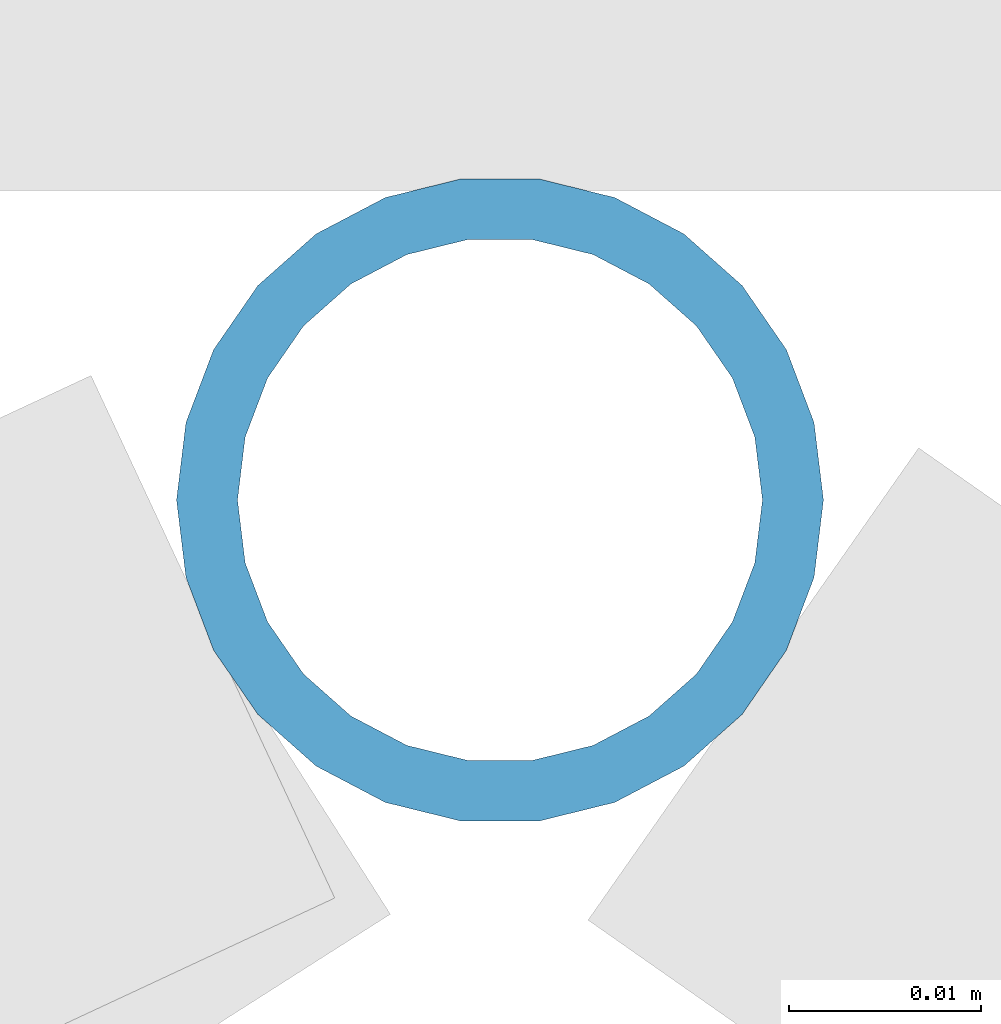
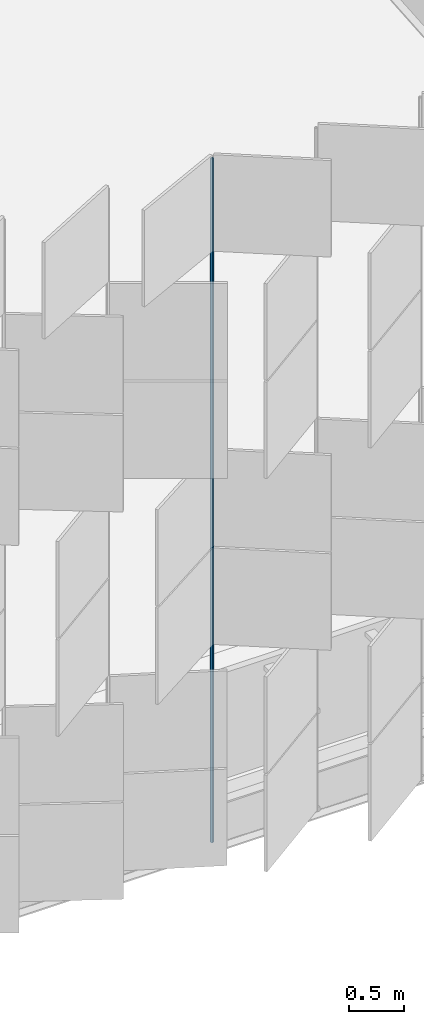
# One storey, part 232 of 483: 1 discrete accessory.
"""IFC4 building model written with IfcOpenShell, lengths in metres."""

from ifc_helpers import new_model, si_unit, direction, frame, origin, origin_2d, place, context, subcontext, project, spatial, hollow_circle, extrude, material, material_profile, profile_set, type_object, element, save


model = new_model("IFC4")

# Units and contexts
model_context = context("Model", 3, precision=1e-05, world=origin(), true_north=direction((0.0, 1.0)))
body_context = subcontext(model_context, "Body", "Model", "MODEL_VIEW")
ifc_project = project(units=[si_unit("LENGTHUNIT", "METRE"), si_unit("AREAUNIT", "SQUARE_METRE"), si_unit("VOLUMEUNIT", "CUBIC_METRE"), si_unit("PLANEANGLEUNIT", "RADIAN"), si_unit("MASSUNIT", "GRAM", prefix="KILO")], contexts=[model_context])

# Site, building, storey
site_placement = place(None, origin())
site = spatial("IfcSite", under=ifc_project, at=site_placement, CompositionType="ELEMENT")
building_placement = place(site_placement, origin())
building = spatial("IfcBuilding", under=site, at=building_placement, Name="Parallax Yard Mobility Hub", CompositionType="ELEMENT")
storey_placement = place(building_placement, frame((0.0, 0.0, 13.199951171875)))
storey = spatial("IfcBuildingStorey", under=building, at=storey_placement, Name="L04", CompositionType="ELEMENT", Elevation=13.199951171875)

# Discrete accessory
ifc_material = material(Name="Steel ASTM A500 Gr C, hot-dip galvanised", Category="steel")
ifc_material_profile = material_profile(ifc_material, hollow_circle(Radius=0.016845703125, WallThickness=0.003173828125, at=origin_2d()), Name="CHS 33.7x3.2")
ifc_profile_set = profile_set([ifc_material_profile], Name="Steel ASTM A500 Gr C, hot-dip galvanised")
discrete_accessory_type = type_object("IfcDiscreteAccessoryType", Name="Hinge post CHS 33.7x3.2", PredefinedType="BRACKET", material=ifc_profile_set)
discrete_accessory_placement = place(storey_placement, frame((167.1376953125, 111.73046875, 0.0), z_axis=(0.0, 0.0, 1.0), x_axis=(1.0, 0.0, 0.0)))
element("IfcDiscreteAccessory", 1, at=discrete_accessory_placement, inside=storey, type_object=discrete_accessory_type, Name="Hinge post bay 17.3 level L04", PredefinedType="BRACKET", context=body_context, shape_type="SweptSolid", body=[
    extrude(hollow_circle(Radius=0.016845703125, WallThickness=0.003173828125, at=origin_2d()), origin(), (0.0, 0.0, 1.0), 7.650146484375),
])

save(model, "model.ifc")
